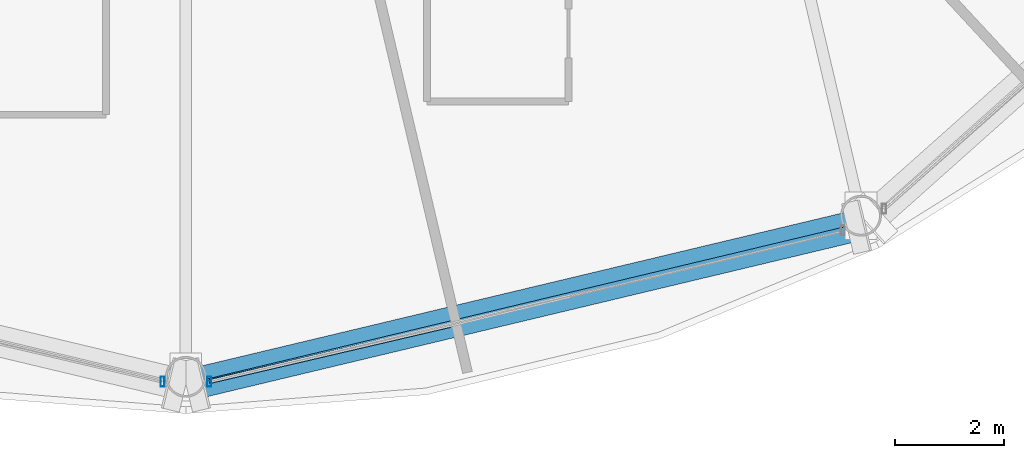
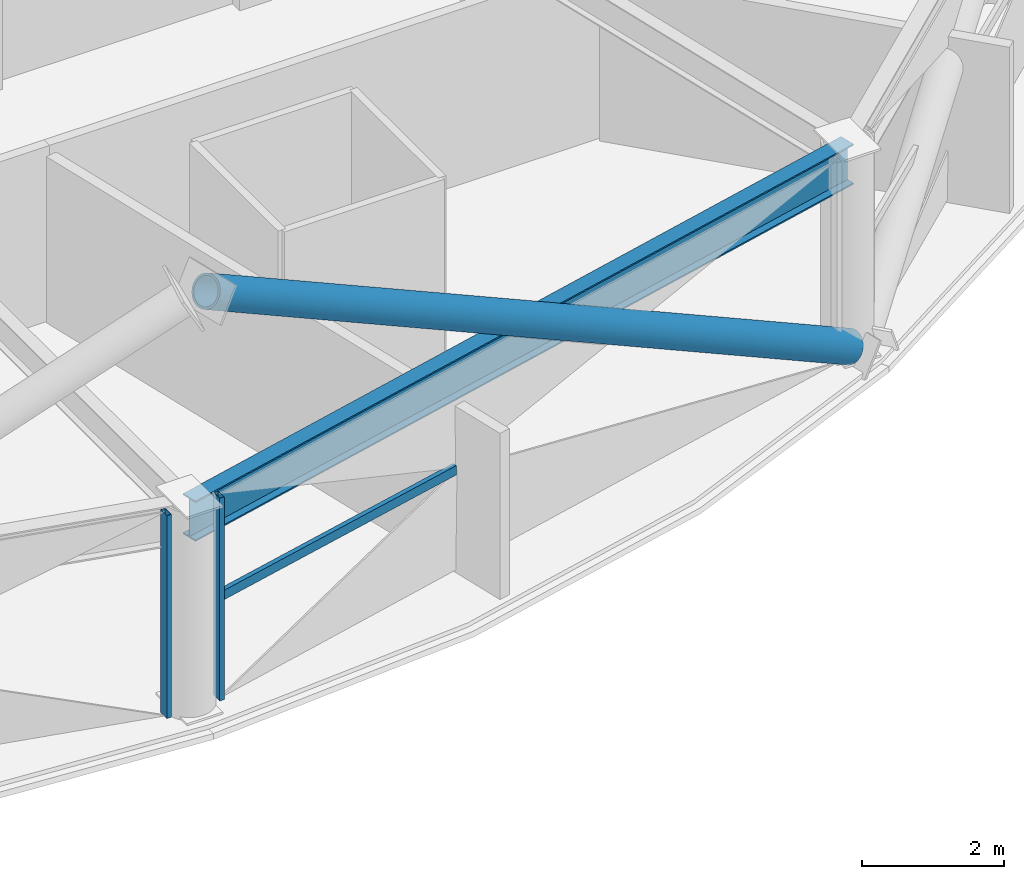
# One storey, part 4 of 29: 4 members, 1 beam, 2 elements without a shape of their own.
"""IFC4 building model written with IfcOpenShell, lengths in metres."""

from ifc_helpers import new_model, si_unit, direction, frame, origin, origin_2d, place, context, subcontext, project, spatial, hollow_rectangle, hollow_circle, i_section, extrude, material, layer, layer_set, material_profile, profile_set, type_object, element, aggregate, save


model = new_model("IFC4")

# Units and contexts
model_context = context("Model", 3, precision=1e-05, world=origin(), true_north=direction((0.0, 1.0)))
body_context = subcontext(model_context, "Body", "Model", "MODEL_VIEW")
ifc_project = project(units=[si_unit("LENGTHUNIT", "METRE"), si_unit("AREAUNIT", "SQUARE_METRE"), si_unit("VOLUMEUNIT", "CUBIC_METRE"), si_unit("PLANEANGLEUNIT", "RADIAN"), si_unit("MASSUNIT", "GRAM", prefix="KILO")], contexts=[model_context])

# Site, building, storey
site_placement = place(None, origin())
site = spatial("IfcSite", under=ifc_project, at=site_placement, CompositionType="ELEMENT")
building_placement = place(site_placement, origin())
building = spatial("IfcBuilding", under=site, at=building_placement, Name="Vantalir Tower", CompositionType="ELEMENT")
storey_placement = place(building_placement, frame((0.0, 0.0, 149.699951171875)))
storey = spatial("IfcBuildingStorey", under=building, at=storey_placement, Name="L37", CompositionType="ELEMENT", Elevation=149.699951171875)

# Beam
ifc_material_1 = material(Name="Steel S460", Category="steel")
ifc_material_profile_1 = material_profile(ifc_material_1, i_section(OverallWidth=0.256103515625, OverallDepth=0.693115234375, WebThickness=0.014404296875, FlangeThickness=0.023681640625, at=origin_2d()), Name="Steel S460")
ifc_profile_set_1 = profile_set([ifc_material_profile_1], Name="Steel S460")
beam_type = type_object("IfcBeamType", Name="BM-RG-686x254", PredefinedType="USERDEFINED", material=ifc_profile_set_1)
beam_placement = place(storey_placement, frame((31.5, 2.930908203125, 3.22412109375), z_axis=(0.972690538126, 0.232105831549, 0.0), x_axis=(-0.232105831549, 0.972690538126, 0.0)))
element("IfcBeam", 1, at=beam_placement, inside=storey, type_object=beam_type, Name="L37 Circumferential Ring Girder 10", ObjectType="GIRDER", PredefinedType="USERDEFINED", context=body_context, shape_type="SweptSolid", body=[
    extrude(i_section(OverallWidth=0.256103515625, OverallDepth=0.693115234375, WebThickness=0.014404296875, FlangeThickness=0.023681640625, at=origin_2d()), origin(), (0.0, 0.0, 1.0), 12.739990234375),
])

# Curtain wall, member
ifc_material_2 = material(Name="Champagne-silver PVDF aluminium and double-silver Low-E glass", Category="aluminium")
ifc_layer = layer(ifc_material_2, 0.199951171875)
ifc_layer_set = layer_set([ifc_layer], Name="Champagne-silver PVDF aluminium and double-silver Low-E glass")
curtain_wall_type = type_object("IfcCurtainWallType", Name="CW-DIAMOND-Z2", PredefinedType="USERDEFINED", material=ifc_layer_set)
curtain_wall_1_placement = place(storey_placement, origin())
curtain_wall_1 = element("IfcCurtainWall", 2, at=curtain_wall_1_placement, inside=storey, type_object=curtain_wall_type, Name="L37 Quilted Pyramid-Diamond Curtain Wall S09", ObjectType="UNITISED CURTAIN WALL", PredefinedType="USERDEFINED")
ifc_material_3 = material(Name="Champagne-silver PVDF aluminium 6063-T6", Category="aluminium")
ifc_material_profile_2 = material_profile(ifc_material_3, hollow_rectangle(XDim=0.074951171875, YDim=0.179931640625, WallThickness=0.00390625, at=origin_2d()), Name="Champagne-silver PVDF aluminium 6063-T6")
ifc_profile_set_2 = profile_set([ifc_material_profile_2], Name="Champagne-silver PVDF aluminium 6063-T6")
member_type_1 = type_object("IfcMemberType", Name="CWM-180x75", PredefinedType="MULLION", material=ifc_profile_set_2)
member_1_placement = place(storey_placement, frame((31.072021484375, 2.843017578125, 0.045166015625), z_axis=(0.0, 0.0, 1.0), x_axis=(1.0, 0.0, 0.0)))
member_1 = element("IfcMember", 3, at=member_1_placement, type_object=member_type_1, Name="CW-L37-S09 Mullion 2", PredefinedType="MULLION", context=body_context, shape_type="SweptSolid", body=[
    extrude(hollow_rectangle(XDim=0.074951171875, YDim=0.179931640625, WallThickness=0.00390625, at=origin_2d()), origin(), (0.0, 0.0, 1.0), 3.47998046875),
])
aggregate(curtain_wall_1, [member_1])

# Curtain wall, members
curtain_wall_2_placement = place(storey_placement, origin())
curtain_wall_2 = element("IfcCurtainWall", 4, at=curtain_wall_2_placement, inside=storey, type_object=curtain_wall_type, Name="L37 Quilted Pyramid-Diamond Curtain Wall S10", ObjectType="UNITISED CURTAIN WALL", PredefinedType="USERDEFINED")
member_2_placement = place(storey_placement, frame((31.927978515625, 2.843017578125, 0.045166015625), z_axis=(0.0, 0.0, 1.0), x_axis=(1.0, 0.0, 0.0)))
member_2 = element("IfcMember", 5, at=member_2_placement, type_object=member_type_1, Name="CW-L37-S10 Mullion 1", PredefinedType="MULLION", context=body_context, shape_type="SweptSolid", body=[
    extrude(hollow_rectangle(XDim=0.074951171875, YDim=0.179931640625, WallThickness=0.00390625, at=origin_2d()), origin(), (0.0, 0.0, 1.0), 3.47998046875),
])
ifc_material_profile_3 = material_profile(ifc_material_3, hollow_rectangle(XDim=0.074951171875, YDim=0.159912109375, WallThickness=0.00390625, at=origin_2d()), Name="Champagne-silver PVDF aluminium 6063-T6")
ifc_profile_set_3 = profile_set([ifc_material_profile_3], Name="Champagne-silver PVDF aluminium 6063-T6")
member_type_2 = type_object("IfcMemberType", Name="CWT-160x75", PredefinedType="USERDEFINED", material=ifc_profile_set_3)
member_3_placement = place(storey_placement, frame((31.927978515625, 2.843017578125, 1.78515625), z_axis=(0.973866964726, 0.227119208822, 0.0), x_axis=(-0.227119208822, 0.973866964726, 0.0)))
member_3 = element("IfcMember", 6, at=member_3_placement, type_object=member_type_2, Name="CW-L37-S10 Pyramid Fold Ridge Transom", ObjectType="TRANSOM", PredefinedType="USERDEFINED", context=body_context, shape_type="SweptSolid", body=[
    extrude(hollow_rectangle(XDim=0.074951171875, YDim=0.159912109375, WallThickness=0.00390625, at=origin_2d()), origin(), (0.0, 0.0, 1.0), 4.543701171875),
])
aggregate(curtain_wall_2, [member_2, member_3])

# Member
ifc_material_profile_4 = material_profile(ifc_material_1, hollow_circle(Radius=0.260009765625, WallThickness=0.0380859375, at=origin_2d()), Name="Steel S460")
ifc_profile_set_4 = profile_set([ifc_material_profile_4], Name="Steel S460")
member_type_3 = type_object("IfcMemberType", Name="MEM-DB-520x38", PredefinedType="BRACE", material=ifc_profile_set_4)
member_4_placement = place(storey_placement, frame((43.800048828125, 5.677978515625, 0.18701171875), z_axis=(-0.849462914761, -0.202816440356, 0.487112151323), x_axis=(0.23223094532, -0.972660674663, 0.0)))
element("IfcMember", 7, at=member_4_placement, inside=storey, type_object=member_type_3, Name="L37 Perimeter S460 Diagrid Brace R31R", PredefinedType="BRACE", context=body_context, shape_type="SweptSolid", body=[
    extrude(hollow_circle(Radius=0.260009765625, WallThickness=0.0380859375, at=origin_2d()), origin(), (0.0, 0.0, 1.0), 14.259521484375),
])

save(model, "model.ifc")
